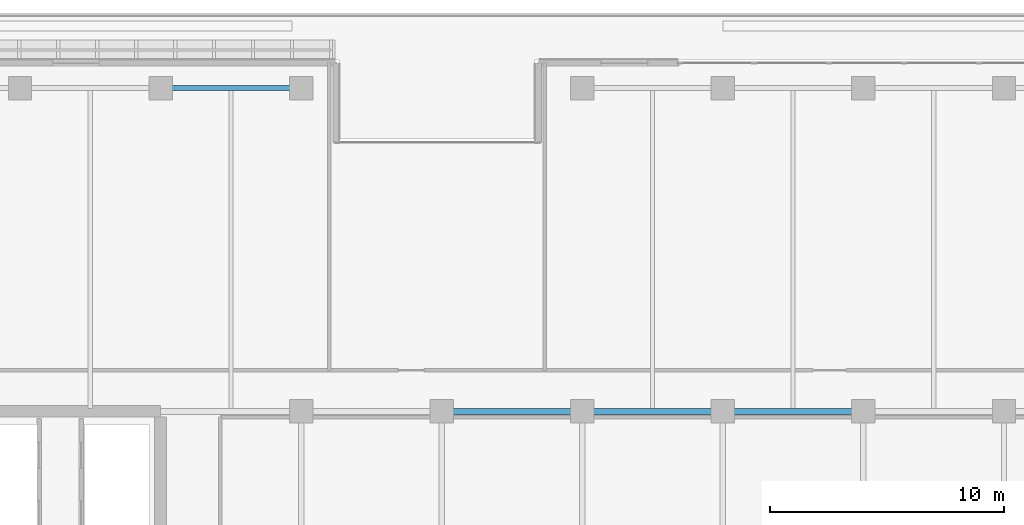
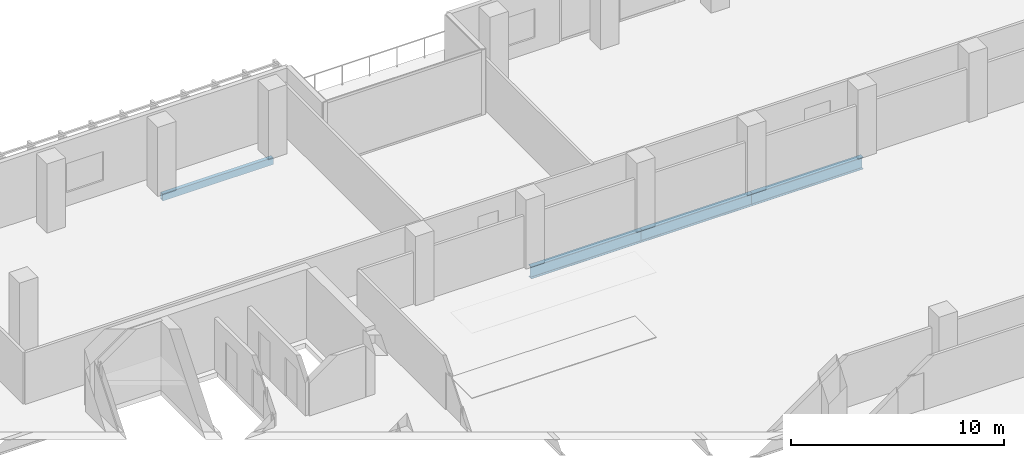
# One storey, part 14 of 38: 4 beams.
"""IFC4 building model written with IfcOpenShell, lengths in metres."""

from ifc_helpers import new_model, si_unit, direction, frame, origin, origin_2d, place, context, subcontext, project, spatial, hollow_rectangle, i_section, extrude, material, material_profile, profile_set, type_object, element, save


model = new_model("IFC4")

# Units and contexts
model_context = context("Model", 3, precision=1e-05, world=origin(), true_north=direction((0.0, 1.0)))
body_context = subcontext(model_context, "Body", "Model", "MODEL_VIEW")
ifc_project = project(units=[si_unit("LENGTHUNIT", "METRE"), si_unit("AREAUNIT", "SQUARE_METRE"), si_unit("VOLUMEUNIT", "CUBIC_METRE"), si_unit("PLANEANGLEUNIT", "RADIAN"), si_unit("MASSUNIT", "GRAM", prefix="KILO")], contexts=[model_context])

# Site, building, storey
site_placement = place(None, origin())
site = spatial("IfcSite", under=ifc_project, at=site_placement, CompositionType="ELEMENT")
building_placement = place(site_placement, origin())
building = spatial("IfcBuilding", under=site, at=building_placement, Name="Tanjung Sevakor Pilgrim Tower", CompositionType="ELEMENT")
storey_placement = place(building_placement, frame((0.0, 0.0, 78.2099609375)))
storey = spatial("IfcBuildingStorey", under=building, at=storey_placement, Name="L21", CompositionType="ELEMENT", Elevation=78.2099609375)

# Beams
ifc_material_1 = material(Name="Steel S355J2", Category="steel")
ifc_material_profile_1 = material_profile(ifc_material_1, i_section(OverallWidth=0.25439453125, OverallDepth=0.6875, WebThickness=0.01318359375, FlangeThickness=0.02099609375, FilletRadius=0.01513671875, at=origin_2d()))
ifc_profile_set_1 = profile_set([ifc_material_profile_1], Name="Steel S355J2")
beam_type_1 = type_object("IfcBeamType", Name="BM-B-G2-UB_686x254x152", PredefinedType="BEAM", material=ifc_profile_set_1)
for number, where, z_axis, x_axis, name in (
    (1, (48.0, 42.60009765625, -0.623779296875), (1.0, 0.0, 0.0), (0.0, 1.0, 0.0), "L21 Primary Floor Girder MAIN Y426-04"),
    (2, (54.0, 42.60009765625, -0.623779296875), (1.0, 0.0, 0.0), (0.0, 1.0, 0.0), "L21 Primary Floor Girder MAIN Y426-05"),
    (3, (60.0, 42.60009765625, -0.623779296875), (1.0, 0.0, 0.0), (0.0, 1.0, 0.0), "L21 Primary Floor Girder MAIN Y426-06"),
):
    element("IfcBeam", number, at=place(storey_placement, frame(where, z_axis=z_axis, x_axis=x_axis)), inside=storey, type_object=beam_type_1, Name=name, PredefinedType="BEAM", context=body_context, shape_type="SweptSolid", body=[
        extrude(i_section(OverallWidth=0.25439453125, OverallDepth=0.6875, WebThickness=0.01318359375, FlangeThickness=0.02099609375, FilletRadius=0.01513671875, at=origin_2d()), origin(), (0.0, 0.0, 1.0), 6.0),
    ])
ifc_material_2 = material(Name="Steel S355J2", Category="steel")
ifc_material_profile_2 = material_profile(ifc_material_2, hollow_rectangle(XDim=0.199951171875, YDim=0.39990234375, WallThickness=0.01611328125, at=origin_2d()))
ifc_profile_set_2 = profile_set([ifc_material_profile_2], Name="Steel S355J2")
beam_type_2 = type_object("IfcBeamType", Name="BM-B-SP2-RHS_400x200x16", PredefinedType="SPANDREL", material=ifc_profile_set_2)
beam_placement = place(storey_placement, frame((36.0, 56.39990234375, -0.47998046875), z_axis=(1.0, 0.0, 0.0), x_axis=(0.0, 1.0, 0.0)))
element("IfcBeam", 4, at=beam_placement, inside=storey, type_object=beam_type_2, Name="L21 Spandrel MAIN N-06", PredefinedType="SPANDREL", context=body_context, shape_type="SweptSolid", body=[
    extrude(hollow_rectangle(XDim=0.199951171875, YDim=0.39990234375, WallThickness=0.01611328125, at=origin_2d()), origin(), (0.0, 0.0, 1.0), 6.0),
])

save(model, "model.ifc")
